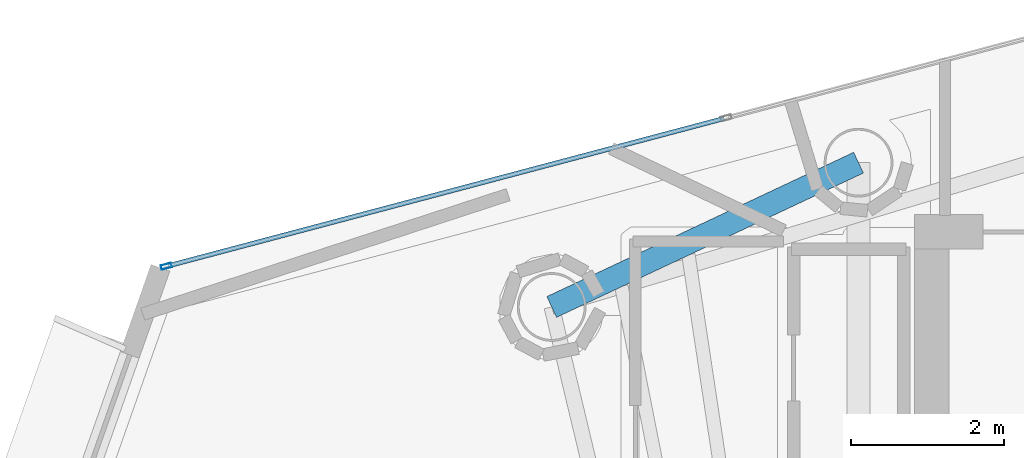
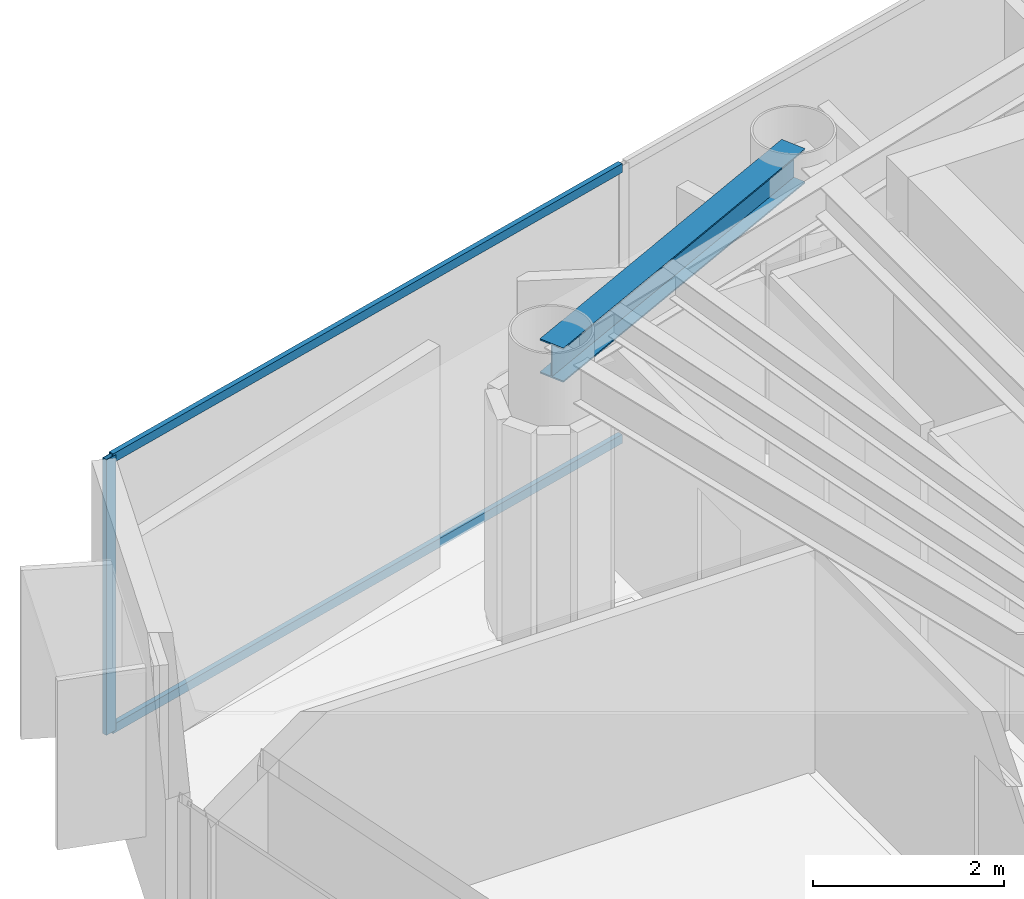
# One storey, part 8 of 23: 3 members, 1 beam, 1 element without a shape of its own.
"""IFC4 building model written with IfcOpenShell, lengths in metres."""

import ifcopenshell
import ifcopenshell.guid

model = None  # the IFC model being written
_history = None  # IfcOwnerHistory: only IFC2X3 demands one
_inside = {}  # id of a spatial element -> (the spatial element, [elements in it])
_under = {}  # id of a project, library or spatial element -> (it, [spatial elements below it])
_declared = {}  # id of a project -> (the project, [libraries it declares])
_typed = {}  # id of a type object -> (the type object, [elements of that type])
_made_of = {}  # id of a material, layer set ... -> (it, [elements and type objects made of it])


def new_model(schema):
    """Start an empty IFC model of exactly this schema.

    Asked for "IFC4X3", IfcOpenShell would pick the latest addendum, in which some entities
    have other attributes; the version numbers below select the first issue.
    IFC2X3 requires an IfcOwnerHistory on every rooted entity: one is made here for all.
    """
    global model, _history
    if schema == "IFC4X3":
        model = ifcopenshell.file(schema_version=(4, 3, 0, 0))
    else:
        model = ifcopenshell.file(schema=schema)
    _inside.clear()
    _under.clear()
    _declared.clear()
    _typed.clear()
    _made_of.clear()
    _history = None
    if model.schema == "IFC2X3":
        org = make("IfcOrganization", Name="unknown")
        user = make(
            "IfcPersonAndOrganization",
            ThePerson=make("IfcPerson", FamilyName="unknown"),
            TheOrganization=org,
        )
        app = make(
            "IfcApplication",
            ApplicationDeveloper=org,
            Version="unknown",
            ApplicationFullName="unknown",
            ApplicationIdentifier="unknown",
        )
        _history = make(
            "IfcOwnerHistory",
            OwningUser=user,
            OwningApplication=app,
            ChangeAction="ADDED",
            CreationDate=0,
        )
    return model


def make(cls, **values):
    """One entity of the class cls with the attributes given. An attribute that is None is left unset."""
    return model.create_entity(
        cls, **{name: value for name, value in values.items() if value is not None}
    )


def rooted(cls, **values):
    """An entity with a GlobalId (a new one), such as an element, a storey or a relation."""
    return make(cls, GlobalId=ifcopenshell.guid.new(), OwnerHistory=_history, **values)


def si_unit(unit_type, name, prefix=None):
    """IfcSIUnit, for example si_unit("LENGTHUNIT", "METRE", prefix="MILLI")."""
    return make("IfcSIUnit", UnitType=unit_type, Prefix=prefix, Name=name)


def assignment(units):
    """IfcUnitAssignment: the units of a project."""
    return None if units is None else make("IfcUnitAssignment", Units=units)


def point(xyz):
    """IfcCartesianPoint."""
    return None if xyz is None else make("IfcCartesianPoint", Coordinates=xyz)


def direction(xyz):
    """IfcDirection."""
    return None if xyz is None else make("IfcDirection", DirectionRatios=xyz)


def frame(location, z_axis=None, x_axis=None):
    """IfcAxis2Placement3D, a coordinate frame: its origin and axes. An axis left out is left unset."""
    return make(
        "IfcAxis2Placement3D",
        Location=point(location),
        Axis=direction(z_axis),
        RefDirection=direction(x_axis),
    )


def frame_2d(location, x_axis=None):
    """IfcAxis2Placement2D, a coordinate frame in the plane: its origin and x axis."""
    return make(
        "IfcAxis2Placement2D", Location=point(location), RefDirection=direction(x_axis)
    )


def origin():
    """The frame at (0, 0, 0) with its axes left unset."""
    return frame((0.0, 0.0, 0.0))


def origin_2d():
    """The frame at (0, 0) in the plane with its x axis left unset."""
    return frame_2d((0.0, 0.0))


def place(relative_to, where):
    """IfcLocalPlacement: puts the frame where relative to a parent placement (None: the world)."""
    return make(
        "IfcLocalPlacement", PlacementRelTo=relative_to, RelativePlacement=where
    )


def context(
    kind, dimensions, precision=None, world=None, true_north=None, identifier=None
):
    """IfcGeometricRepresentationContext, for example the 3D "Model" context."""
    return make(
        "IfcGeometricRepresentationContext",
        ContextIdentifier=identifier,
        ContextType=kind,
        CoordinateSpaceDimension=dimensions,
        Precision=precision,
        WorldCoordinateSystem=world,
        TrueNorth=true_north,
    )


def subcontext(parent, identifier, kind, view, scale=None):
    """IfcGeometricRepresentationSubContext, for example "Body" below "Model"."""
    return make(
        "IfcGeometricRepresentationSubContext",
        ContextIdentifier=identifier,
        ContextType=kind,
        ParentContext=parent,
        TargetScale=scale,
        TargetView=view,
    )


def project(units=None, contexts=None):
    """IfcProject with its units and contexts."""
    return rooted(
        "IfcProject",
        Name="project",
        RepresentationContexts=contexts,
        UnitsInContext=assignment(units),
    )


def spatial(cls, under=None, at=None, **own):
    """A site, building, storey or space (cls), placed at a placement, below another one or the project."""
    s = rooted(cls, ObjectPlacement=at, **own)
    if under is not None:
        _under.setdefault(under.id(), (under, []))[1].append(s)
    return s


def profile(cls, at=None, kind="AREA", **sizes):
    """A parametric profile (cls). Its sizes go by their IFC names, for example OverallWidth=200.0."""
    return make(cls, ProfileType=kind, Position=at, **sizes)


def hollow_rectangle(**sizes):
    """IfcRectangleHollowProfileDef."""
    return profile("IfcRectangleHollowProfileDef", **sizes)


def i_section(**sizes):
    """IfcIShapeProfileDef."""
    return profile("IfcIShapeProfileDef", **sizes)


def extrude(swept, where, along, depth):
    """IfcExtrudedAreaSolid: the profile swept, set in the frame where, extruded along a direction by depth."""
    return make(
        "IfcExtrudedAreaSolid",
        SweptArea=swept,
        Position=where,
        ExtrudedDirection=direction(along),
        Depth=depth,
    )


def shape(context_of_items, identifier, shape_type, items):
    """IfcShapeRepresentation: the items that make up one representation, for example the "Body"."""
    return make(
        "IfcShapeRepresentation",
        ContextOfItems=context_of_items,
        RepresentationIdentifier=identifier,
        RepresentationType=shape_type,
        Items=items,
    )


def material(Name=None, Category=None):
    """IfcMaterial."""
    return make("IfcMaterial", Name=Name, Category=Category)


def layer(
    of_material, thickness, ventilated=None, Name=None, Category=None, Priority=None
):
    """IfcMaterialLayer: one layer of a wall or slab, of a material (None: an air gap)."""
    return make(
        "IfcMaterialLayer",
        Material=of_material,
        LayerThickness=thickness,
        IsVentilated=ventilated,
        Name=Name,
        Category=Category,
        Priority=Priority,
    )


def layer_set(layers, Name=None):
    """IfcMaterialLayerSet."""
    return make("IfcMaterialLayerSet", MaterialLayers=layers, LayerSetName=Name)


def material_profile(
    of_material, cross_section, Name=None, Category=None, Priority=None
):
    """IfcMaterialProfile: a cross section and its material."""
    return make(
        "IfcMaterialProfile",
        Name=Name,
        Material=of_material,
        Profile=cross_section,
        Priority=Priority,
        Category=Category,
    )


def profile_set(profiles, Name=None, composite=None):
    """IfcMaterialProfileSet."""
    return make(
        "IfcMaterialProfileSet",
        Name=Name,
        MaterialProfiles=profiles,
        CompositeProfile=composite,
    )


def made_of(thing, what):
    """Note that an element or type object is made of a material, layer set ...; save() writes the relation."""
    if what is not None:
        _made_of.setdefault(what.id(), (what, []))[1].append(thing)
    return thing


def type_object(cls, material=None, **own):
    """A type object (cls), such as IfcWallType, which elements share."""
    return made_of(rooted(cls, **own), material)


def element(
    cls,
    number,
    at=None,
    inside=None,
    cuts=None,
    type_object=None,
    material=None,
    context=None,
    identifier="Body",
    shape_type=None,
    held_by="IfcProductDefinitionShape",
    body=None,
    shapes=None,
    **own,
):
    """One element of the class cls, such as IfcWall. Its Tag is "e" and its number.

    at: its placement. inside: the storey or other place that contains it. cuts: it is an
    opening in that element (IfcRelVoidsElement). A single representation is given by context,
    identifier, shape_type and body (its items); several are given by shapes. held_by: the class
    of the entity that holds the representations. save() writes the other relations.
    """
    e = rooted(cls, Tag="e%d" % number, ObjectPlacement=at, **own)
    if body is not None:
        shapes = [shape(context, identifier, shape_type, body)]
    if shapes is not None:
        e.Representation = make(held_by, Representations=shapes)
    if inside is not None:
        _inside.setdefault(inside.id(), (inside, []))[1].append(e)
    if cuts is not None:
        rooted(
            "IfcRelVoidsElement", RelatingBuildingElement=cuts, RelatedOpeningElement=e
        )
    if type_object is not None:
        _typed.setdefault(type_object.id(), (type_object, []))[1].append(e)
    return made_of(e, material)


def aggregate(whole, parts):
    """IfcRelAggregates: a whole, such as a stair, and the parts it consists of."""
    return rooted("IfcRelAggregates", RelatingObject=whole, RelatedObjects=parts)


def save(model, path):
    """Write the relations noted so far, then the file.

    IfcRelAggregates (storeys below a building ...), IfcRelContainedInSpatialStructure (elements
    in a storey), IfcRelDefinesByType, IfcRelAssociatesMaterial and IfcRelDeclares: one each for
    every whole, place, type object, material and project.
    """
    for whole, parts in _under.values():
        aggregate(whole, parts)
    for where, things in _inside.values():
        rooted(
            "IfcRelContainedInSpatialStructure",
            RelatedElements=things,
            RelatingStructure=where,
        )
    for kind, things in _typed.values():
        rooted("IfcRelDefinesByType", RelatedObjects=things, RelatingType=kind)
    for what, things in _made_of.values():
        rooted("IfcRelAssociatesMaterial", RelatedObjects=things, RelatingMaterial=what)
    for by, libraries in _declared.values():
        rooted("IfcRelDeclares", RelatingContext=by, RelatedDefinitions=libraries)
    model.write(path)


model = new_model("IFC4")

# Units and contexts
model_context = context("Model", 3, precision=1e-05, world=origin(), true_north=direction((0.0, 1.0)))
body_context = subcontext(model_context, "Body", "Model", "MODEL_VIEW")
ifc_project = project(units=[si_unit("LENGTHUNIT", "METRE"), si_unit("AREAUNIT", "SQUARE_METRE"), si_unit("VOLUMEUNIT", "CUBIC_METRE"), si_unit("PLANEANGLEUNIT", "RADIAN"), si_unit("MASSUNIT", "GRAM", prefix="KILO")], contexts=[model_context])

# Site, building, storey
site_placement = place(None, origin())
site = spatial("IfcSite", under=ifc_project, at=site_placement, CompositionType="ELEMENT")
building_placement = place(site_placement, origin())
building = spatial("IfcBuilding", under=site, at=building_placement, Name="Qianvela Tower", CompositionType="ELEMENT")
storey_placement = place(building_placement, frame((0.0, 0.0, 313.89990234375)))
storey = spatial("IfcBuildingStorey", under=building, at=storey_placement, Name="L81", CompositionType="ELEMENT", Elevation=313.89990234375)

# Beam
ifc_material_1 = material(Name="Steel Q355B", Category="steel")
ifc_material_profile_1 = material_profile(ifc_material_1, i_section(OverallWidth=0.300048828125, OverallDepth=0.43994140625, WebThickness=0.010986328125, FlangeThickness=0.01806640625, at=origin_2d()), Name="HM440x300x11x18")
ifc_profile_set_1 = profile_set([ifc_material_profile_1], Name="Steel Q355B")
beam_type = type_object("IfcBeamType", Name="BM-HM440-COLL", PredefinedType="BEAM", material=ifc_profile_set_1)
beam_placement = place(storey_placement, frame((28.60009765625, 33.550048828125, 3.298095703125), z_axis=(-0.904957143986, -0.425502723316, 0.0), x_axis=(0.425502723316, -0.904957143986, 0.0)))
element("IfcBeam", 1, at=beam_placement, inside=storey, type_object=beam_type, Name="L81 Radial Primary Floor Girder 3", PredefinedType="BEAM", context=body_context, shape_type="SweptSolid", body=[
    extrude(i_section(OverallWidth=0.300048828125, OverallDepth=0.43994140625, WebThickness=0.010986328125, FlangeThickness=0.01806640625, at=origin_2d()), origin(), (0.0, 0.0, 1.0), 4.4345703125),
])

# Curtain wall, members
ifc_material_2 = material(Name="Anodised Architectural Aluminium and Low-E Glass", Category="aluminium")
ifc_layer = layer(ifc_material_2, 0.14990234375)
ifc_layer_set = layer_set([ifc_layer], Name="Anodised Architectural Aluminium and Low-E Glass")
curtain_wall_type = type_object("IfcCurtainWallType", Name="CW-COLIV-Z78", PredefinedType="USERDEFINED", material=ifc_layer_set)
curtain_wall_placement = place(storey_placement, origin())
curtain_wall = element("IfcCurtainWall", 2, at=curtain_wall_placement, inside=storey, type_object=curtain_wall_type, Name="L81 CW-COLIV-Z78 Curtain Wall 02C", ObjectType="CURTAIN_WALL_SYSTEM", PredefinedType="USERDEFINED")
ifc_material_3 = material(Name="Anodised Architectural Aluminium 6063-T6", Category="aluminium")
ifc_material_profile_2 = material_profile(ifc_material_3, hollow_rectangle(XDim=0.06005859375, YDim=0.139892578125, WallThickness=0.00439453125, at=origin_2d()), Name="ALU-MULL-60x140")
ifc_profile_set_2 = profile_set([ifc_material_profile_2], Name="Anodised Architectural Aluminium 6063-T6")
member_type_1 = type_object("IfcMemberType", Name="CW-COLIV-Z78-MULL", PredefinedType="MULLION", material=ifc_profile_set_2)
member_1_placement = place(storey_placement, frame((19.546875, 32.19482421875, 0.0), z_axis=(0.0, 0.0, 1.0), x_axis=(0.25623677384, -0.966614046935, 0.0)))
member_1 = element("IfcMember", 3, at=member_1_placement, type_object=member_type_1, Name="CW-6 mullion 3", PredefinedType="MULLION", context=body_context, shape_type="SweptSolid", body=[
    extrude(hollow_rectangle(XDim=0.06005859375, YDim=0.139892578125, WallThickness=0.00439453125, at=origin_2d()), origin(), (0.0, 0.0, 1.0), 3.52001953125),
])
ifc_material_4 = material(Name="Anodised Architectural Aluminium 6063-T6", Category="aluminium")
ifc_material_profile_3 = material_profile(ifc_material_4, hollow_rectangle(XDim=0.06005859375, YDim=0.114990234375, WallThickness=0.00390625, at=origin_2d()), Name="ALU-TRAN-60x115")
ifc_profile_set_3 = profile_set([ifc_material_profile_3], Name="Anodised Architectural Aluminium 6063-T6")
member_type_2 = type_object("IfcMemberType", Name="CW-COLIV-Z78-TRAN", PredefinedType="USERDEFINED", material=ifc_profile_set_3)
member_2_placement = place(storey_placement, frame((26.84033203125, 34.128173828125, 0.030029296875), z_axis=(-0.966611329947, -0.256247023042, 0.0), x_axis=(0.256247023042, -0.966611329947, 0.0)))
member_2 = element("IfcMember", 4, at=member_2_placement, type_object=member_type_2, Name="CW-6 transom 2.1", ObjectType="TRANSOM", PredefinedType="USERDEFINED", context=body_context, shape_type="SweptSolid", body=[
    extrude(hollow_rectangle(XDim=0.06005859375, YDim=0.114990234375, WallThickness=0.00390625, at=origin_2d()), origin(), (0.0, 0.0, 1.0), 7.515380859375),
])
member_3_placement = place(storey_placement, frame((26.84033203125, 34.128173828125, 3.489990234375), z_axis=(-0.966611329947, -0.256247023042, 0.0), x_axis=(0.256247023042, -0.966611329947, 0.0)))
member_3 = element("IfcMember", 5, at=member_3_placement, type_object=member_type_2, Name="CW-6 transom 2.2", ObjectType="TRANSOM", PredefinedType="USERDEFINED", context=body_context, shape_type="SweptSolid", body=[
    extrude(hollow_rectangle(XDim=0.06005859375, YDim=0.114990234375, WallThickness=0.00390625, at=origin_2d()), origin(), (0.0, 0.0, 1.0), 7.515380859375),
])
aggregate(curtain_wall, [member_1, member_2, member_3])

save(model, "model.ifc")
